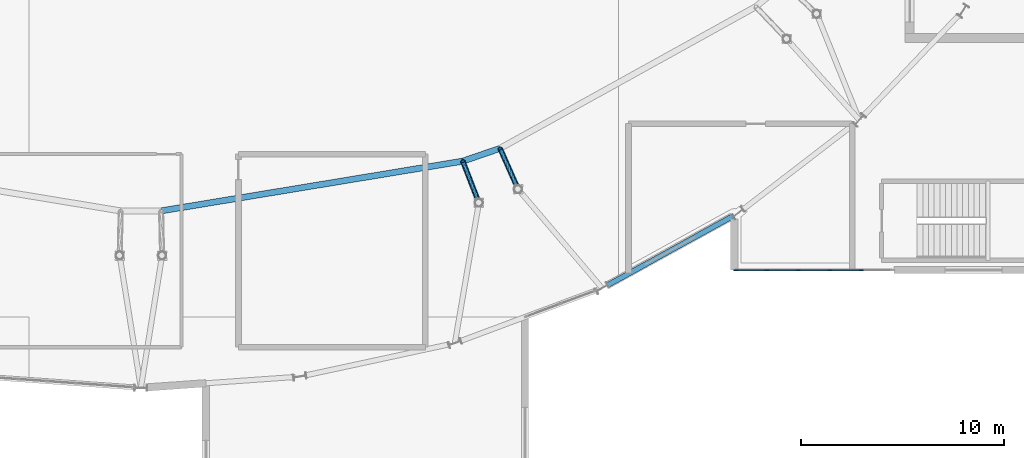
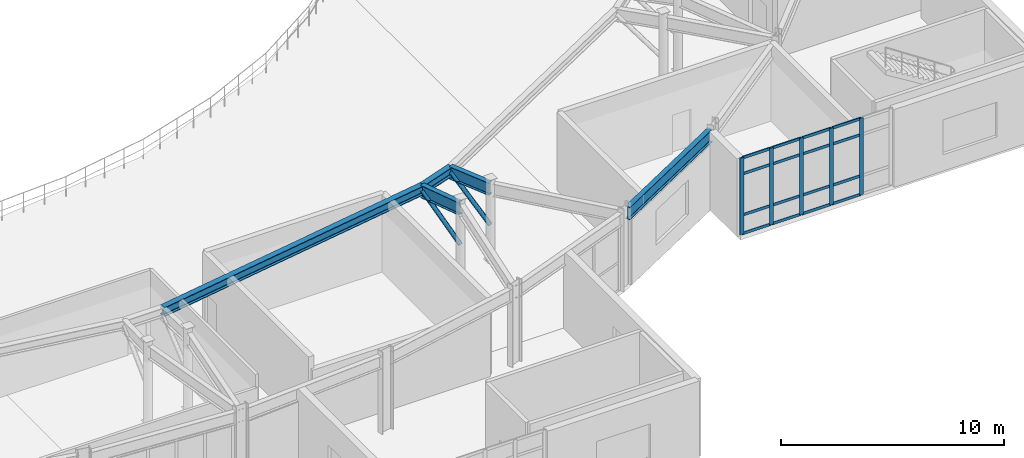
# One storey, part 22 of 48: 23 members, 5 beams, 1 element without a shape of its own.
"""IFC4 building model written with IfcOpenShell, lengths in metres."""

import ifcopenshell
import ifcopenshell.guid

model = None  # the IFC model being written
_history = None  # IfcOwnerHistory: only IFC2X3 demands one
_inside = {}  # id of a spatial element -> (the spatial element, [elements in it])
_under = {}  # id of a project, library or spatial element -> (it, [spatial elements below it])
_declared = {}  # id of a project -> (the project, [libraries it declares])
_typed = {}  # id of a type object -> (the type object, [elements of that type])
_made_of = {}  # id of a material, layer set ... -> (it, [elements and type objects made of it])


def new_model(schema):
    """Start an empty IFC model of exactly this schema.

    Asked for "IFC4X3", IfcOpenShell would pick the latest addendum, in which some entities
    have other attributes; the version numbers below select the first issue.
    IFC2X3 requires an IfcOwnerHistory on every rooted entity: one is made here for all.
    """
    global model, _history
    if schema == "IFC4X3":
        model = ifcopenshell.file(schema_version=(4, 3, 0, 0))
    else:
        model = ifcopenshell.file(schema=schema)
    _inside.clear()
    _under.clear()
    _declared.clear()
    _typed.clear()
    _made_of.clear()
    _history = None
    if model.schema == "IFC2X3":
        org = make("IfcOrganization", Name="unknown")
        user = make(
            "IfcPersonAndOrganization",
            ThePerson=make("IfcPerson", FamilyName="unknown"),
            TheOrganization=org,
        )
        app = make(
            "IfcApplication",
            ApplicationDeveloper=org,
            Version="unknown",
            ApplicationFullName="unknown",
            ApplicationIdentifier="unknown",
        )
        _history = make(
            "IfcOwnerHistory",
            OwningUser=user,
            OwningApplication=app,
            ChangeAction="ADDED",
            CreationDate=0,
        )
    return model


def make(cls, **values):
    """One entity of the class cls with the attributes given. An attribute that is None is left unset."""
    return model.create_entity(
        cls, **{name: value for name, value in values.items() if value is not None}
    )


def rooted(cls, **values):
    """An entity with a GlobalId (a new one), such as an element, a storey or a relation."""
    return make(cls, GlobalId=ifcopenshell.guid.new(), OwnerHistory=_history, **values)


def si_unit(unit_type, name, prefix=None):
    """IfcSIUnit, for example si_unit("LENGTHUNIT", "METRE", prefix="MILLI")."""
    return make("IfcSIUnit", UnitType=unit_type, Prefix=prefix, Name=name)


def assignment(units):
    """IfcUnitAssignment: the units of a project."""
    return None if units is None else make("IfcUnitAssignment", Units=units)


def point(xyz):
    """IfcCartesianPoint."""
    return None if xyz is None else make("IfcCartesianPoint", Coordinates=xyz)


def direction(xyz):
    """IfcDirection."""
    return None if xyz is None else make("IfcDirection", DirectionRatios=xyz)


def frame(location, z_axis=None, x_axis=None):
    """IfcAxis2Placement3D, a coordinate frame: its origin and axes. An axis left out is left unset."""
    return make(
        "IfcAxis2Placement3D",
        Location=point(location),
        Axis=direction(z_axis),
        RefDirection=direction(x_axis),
    )


def frame_2d(location, x_axis=None):
    """IfcAxis2Placement2D, a coordinate frame in the plane: its origin and x axis."""
    return make(
        "IfcAxis2Placement2D", Location=point(location), RefDirection=direction(x_axis)
    )


def origin():
    """The frame at (0, 0, 0) with its axes left unset."""
    return frame((0.0, 0.0, 0.0))


def origin_2d():
    """The frame at (0, 0) in the plane with its x axis left unset."""
    return frame_2d((0.0, 0.0))


def place(relative_to, where):
    """IfcLocalPlacement: puts the frame where relative to a parent placement (None: the world)."""
    return make(
        "IfcLocalPlacement", PlacementRelTo=relative_to, RelativePlacement=where
    )


def context(
    kind, dimensions, precision=None, world=None, true_north=None, identifier=None
):
    """IfcGeometricRepresentationContext, for example the 3D "Model" context."""
    return make(
        "IfcGeometricRepresentationContext",
        ContextIdentifier=identifier,
        ContextType=kind,
        CoordinateSpaceDimension=dimensions,
        Precision=precision,
        WorldCoordinateSystem=world,
        TrueNorth=true_north,
    )


def subcontext(parent, identifier, kind, view, scale=None):
    """IfcGeometricRepresentationSubContext, for example "Body" below "Model"."""
    return make(
        "IfcGeometricRepresentationSubContext",
        ContextIdentifier=identifier,
        ContextType=kind,
        ParentContext=parent,
        TargetScale=scale,
        TargetView=view,
    )


def project(units=None, contexts=None):
    """IfcProject with its units and contexts."""
    return rooted(
        "IfcProject",
        Name="project",
        RepresentationContexts=contexts,
        UnitsInContext=assignment(units),
    )


def spatial(cls, under=None, at=None, **own):
    """A site, building, storey or space (cls), placed at a placement, below another one or the project."""
    s = rooted(cls, ObjectPlacement=at, **own)
    if under is not None:
        _under.setdefault(under.id(), (under, []))[1].append(s)
    return s


def profile(cls, at=None, kind="AREA", **sizes):
    """A parametric profile (cls). Its sizes go by their IFC names, for example OverallWidth=200.0."""
    return make(cls, ProfileType=kind, Position=at, **sizes)


def rectangle(**sizes):
    """IfcRectangleProfileDef."""
    return profile("IfcRectangleProfileDef", **sizes)


def hollow_circle(**sizes):
    """IfcCircleHollowProfileDef."""
    return profile("IfcCircleHollowProfileDef", **sizes)


def i_section(**sizes):
    """IfcIShapeProfileDef."""
    return profile("IfcIShapeProfileDef", **sizes)


def extrude(swept, where, along, depth):
    """IfcExtrudedAreaSolid: the profile swept, set in the frame where, extruded along a direction by depth."""
    return make(
        "IfcExtrudedAreaSolid",
        SweptArea=swept,
        Position=where,
        ExtrudedDirection=direction(along),
        Depth=depth,
    )


def shape(context_of_items, identifier, shape_type, items):
    """IfcShapeRepresentation: the items that make up one representation, for example the "Body"."""
    return make(
        "IfcShapeRepresentation",
        ContextOfItems=context_of_items,
        RepresentationIdentifier=identifier,
        RepresentationType=shape_type,
        Items=items,
    )


def material(Name=None, Category=None):
    """IfcMaterial."""
    return make("IfcMaterial", Name=Name, Category=Category)


def material_profile(
    of_material, cross_section, Name=None, Category=None, Priority=None
):
    """IfcMaterialProfile: a cross section and its material."""
    return make(
        "IfcMaterialProfile",
        Name=Name,
        Material=of_material,
        Profile=cross_section,
        Priority=Priority,
        Category=Category,
    )


def profile_set(profiles, Name=None, composite=None):
    """IfcMaterialProfileSet."""
    return make(
        "IfcMaterialProfileSet",
        Name=Name,
        MaterialProfiles=profiles,
        CompositeProfile=composite,
    )


def made_of(thing, what):
    """Note that an element or type object is made of a material, layer set ...; save() writes the relation."""
    if what is not None:
        _made_of.setdefault(what.id(), (what, []))[1].append(thing)
    return thing


def type_object(cls, material=None, **own):
    """A type object (cls), such as IfcWallType, which elements share."""
    return made_of(rooted(cls, **own), material)


def element(
    cls,
    number,
    at=None,
    inside=None,
    cuts=None,
    type_object=None,
    material=None,
    context=None,
    identifier="Body",
    shape_type=None,
    held_by="IfcProductDefinitionShape",
    body=None,
    shapes=None,
    **own,
):
    """One element of the class cls, such as IfcWall. Its Tag is "e" and its number.

    at: its placement. inside: the storey or other place that contains it. cuts: it is an
    opening in that element (IfcRelVoidsElement). A single representation is given by context,
    identifier, shape_type and body (its items); several are given by shapes. held_by: the class
    of the entity that holds the representations. save() writes the other relations.
    """
    e = rooted(cls, Tag="e%d" % number, ObjectPlacement=at, **own)
    if body is not None:
        shapes = [shape(context, identifier, shape_type, body)]
    if shapes is not None:
        e.Representation = make(held_by, Representations=shapes)
    if inside is not None:
        _inside.setdefault(inside.id(), (inside, []))[1].append(e)
    if cuts is not None:
        rooted(
            "IfcRelVoidsElement", RelatingBuildingElement=cuts, RelatedOpeningElement=e
        )
    if type_object is not None:
        _typed.setdefault(type_object.id(), (type_object, []))[1].append(e)
    return made_of(e, material)


def aggregate(whole, parts):
    """IfcRelAggregates: a whole, such as a stair, and the parts it consists of."""
    return rooted("IfcRelAggregates", RelatingObject=whole, RelatedObjects=parts)


def save(model, path):
    """Write the relations noted so far, then the file.

    IfcRelAggregates (storeys below a building ...), IfcRelContainedInSpatialStructure (elements
    in a storey), IfcRelDefinesByType, IfcRelAssociatesMaterial and IfcRelDeclares: one each for
    every whole, place, type object, material and project.
    """
    for whole, parts in _under.values():
        aggregate(whole, parts)
    for where, things in _inside.values():
        rooted(
            "IfcRelContainedInSpatialStructure",
            RelatedElements=things,
            RelatingStructure=where,
        )
    for kind, things in _typed.values():
        rooted("IfcRelDefinesByType", RelatedObjects=things, RelatingType=kind)
    for what, things in _made_of.values():
        rooted("IfcRelAssociatesMaterial", RelatedObjects=things, RelatingMaterial=what)
    for by, libraries in _declared.values():
        rooted("IfcRelDeclares", RelatingContext=by, RelatedDefinitions=libraries)
    model.write(path)


model = new_model("IFC4")

# Units and contexts
model_context = context("Model", 3, precision=1e-05, world=origin(), true_north=direction((0.0, 1.0)))
body_context = subcontext(model_context, "Body", "Model", "MODEL_VIEW")
ifc_project = project(units=[si_unit("LENGTHUNIT", "METRE"), si_unit("AREAUNIT", "SQUARE_METRE"), si_unit("VOLUMEUNIT", "CUBIC_METRE"), si_unit("PLANEANGLEUNIT", "RADIAN"), si_unit("MASSUNIT", "GRAM", prefix="KILO")], contexts=[model_context])

# Site, building, storey
site_placement = place(None, origin())
site = spatial("IfcSite", under=ifc_project, at=site_placement, CompositionType="ELEMENT")
building_placement = place(site_placement, origin())
building = spatial("IfcBuilding", under=site, at=building_placement, Name="Glasvene Arena", CompositionType="ELEMENT")
storey_placement = place(building_placement, frame((0.0, 0.0, 19.5)))
storey = spatial("IfcBuildingStorey", under=building, at=storey_placement, Name="L04", CompositionType="ELEMENT", Elevation=19.5)

# Beams
ifc_material_1 = material(Name="Steel S355J2", Category="steel")
ifc_material_profile_1 = material_profile(ifc_material_1, i_section(OverallWidth=0.300048828125, OverallDepth=0.5, WebThickness=0.014404296875, FlangeThickness=0.028076171875, FilletRadius=0.027099609375, at=origin_2d()), Name="HEB 500")
ifc_profile_set_1 = profile_set([ifc_material_profile_1], Name="Steel S355J2")
beam_type_1 = type_object("IfcBeamType", Name="BM-EAVE-CANT", PredefinedType="BEAM", material=ifc_profile_set_1)
beam_1_placement = place(storey_placement, frame((92.99365234375, 36.709228515625, 4.0), z_axis=(0.98668314194, 0.16265416506, 0.0), x_axis=(-0.16265416506, 0.98668314194, 0.0)))
element("IfcBeam", 1, at=beam_1_placement, inside=storey, type_object=beam_type_1, Name="Gondola inner ring girder 25", PredefinedType="BEAM", context=body_context, shape_type="SweptSolid", body=[
    extrude(i_section(OverallWidth=0.300048828125, OverallDepth=0.5, WebThickness=0.014404296875, FlangeThickness=0.028076171875, FilletRadius=0.027099609375, at=origin_2d()), origin(), (0.0, 0.0, 1.0), 15.0458984375),
])
beam_2_placement = place(storey_placement, frame((107.839111328125, 39.156494140625, 4.0), z_axis=(0.945777169561, 0.324816171915, 0.0), x_axis=(-0.324816171915, 0.945777169561, 0.0)))
element("IfcBeam", 2, at=beam_2_placement, inside=storey, type_object=beam_type_1, Name="Gondola inner ring girder 26", PredefinedType="BEAM", context=body_context, shape_type="SweptSolid", body=[
    extrude(i_section(OverallWidth=0.300048828125, OverallDepth=0.5, WebThickness=0.014404296875, FlangeThickness=0.028076171875, FilletRadius=0.027099609375, at=origin_2d()), origin(), (0.0, 0.0, 1.0), 1.94140625),
])
ifc_material_profile_2 = material_profile(ifc_material_1, i_section(OverallWidth=0.253662109375, OverallDepth=0.68359375, WebThickness=0.012451171875, FlangeThickness=0.01904296875, FilletRadius=0.01513671875, at=origin_2d()), Name="UKB 686x254x140")
ifc_profile_set_2 = profile_set([ifc_material_profile_2], Name="Steel S355J2")
beam_type_2 = type_object("IfcBeamType", Name="BM-GIRD-686", PredefinedType="BEAM", material=ifc_profile_set_2)
beam_3_placement = place(storey_placement, frame((114.90966796875, 33.0205078125, 3.908203125), z_axis=(0.875653765723, 0.482939419156, 0.0), x_axis=(-0.482939419156, 0.875653765723, 0.0)))
element("IfcBeam", 3, at=beam_3_placement, inside=storey, type_object=beam_type_2, Name="Bowl ring chord beam L04-34", PredefinedType="BEAM", context=body_context, shape_type="SweptSolid", body=[
    extrude(i_section(OverallWidth=0.253662109375, OverallDepth=0.68359375, WebThickness=0.012451171875, FlangeThickness=0.01904296875, FilletRadius=0.01513671875, at=origin_2d()), origin(), (0.0, 0.0, 1.0), 7.159912109375),
])
for number, where, z_axis, x_axis, name in (
    (4, (107.839111328125, 39.156494140625, 3.908203125), (0.361669603408, -0.932306332688, 0.0), (0.932306332688, 0.361669603408, 0.0), "Gondola inner bracket beam 26"),
    (5, (109.67529296875, 39.787109375, 3.908203125), (0.403500861831, -0.91497926452, 0.0), (0.91497926452, 0.403500861831, 0.0), "Gondola inner bracket beam 27"),
):
    element("IfcBeam", number, at=place(storey_placement, frame(where, z_axis=z_axis, x_axis=x_axis)), inside=storey, type_object=beam_type_2, Name=name, PredefinedType="BEAM", context=body_context, shape_type="SweptSolid", body=[
        extrude(i_section(OverallWidth=0.253662109375, OverallDepth=0.68359375, WebThickness=0.012451171875, FlangeThickness=0.01904296875, FilletRadius=0.01513671875, at=origin_2d()), origin(), (0.0, 0.0, 1.0), 2.199951171875),
    ])

# Curtain wall, members
ifc_material_2 = material(Name="Low-emissivity laminated double glazing", Category="glass")
curtain_wall_type = type_object("IfcCurtainWallType", Name="CW-FAC-L03-777x419", PredefinedType="USERDEFINED", material=ifc_material_2)
curtain_wall_placement = place(storey_placement, frame((129.010009765625, 33.800048828125, 0.0)))
curtain_wall = element("IfcCurtainWall", 6, at=curtain_wall_placement, inside=storey, type_object=curtain_wall_type, Name="Unitised curtain wall CW-F-L04-180-1251-338-49", ObjectType="CURTAIN WALL", PredefinedType="USERDEFINED")
ifc_material_3 = material(Name="Anodised architectural aluminium", Category="aluminium")
ifc_material_profile_3 = material_profile(ifc_material_3, rectangle(XDim=0.050048828125, YDim=0.199951171875, at=origin_2d()), Name="ALU MULLION 50x200")
ifc_profile_set_3 = profile_set([ifc_material_profile_3], Name="Anodised architectural aluminium")
member_type_1 = type_object("IfcMemberType", Name="CW-MUL-180", PredefinedType="MULLION", material=ifc_profile_set_3)
member_1_placement = place(storey_placement, frame((127.4560546875, 33.800048828125, 0.06005859375), z_axis=(0.0, 0.0, 1.0), x_axis=(0.0, -1.0, 0.0)))
member_1 = element("IfcMember", 7, at=member_1_placement, type_object=member_type_1, Name="CW-042 mullion 2", PredefinedType="MULLION", context=body_context, shape_type="SweptSolid", body=[
    extrude(rectangle(XDim=0.050048828125, YDim=0.199951171875, at=origin_2d()), origin(), (0.0, 0.0, 1.0), 4.18994140625),
])
member_2_placement = place(storey_placement, frame((125.902099609375, 33.800048828125, 0.06005859375), z_axis=(0.0, 0.0, 1.0), x_axis=(0.0, -1.0, 0.0)))
member_2 = element("IfcMember", 8, at=member_2_placement, type_object=member_type_1, Name="CW-042 mullion 3", PredefinedType="MULLION", context=body_context, shape_type="SweptSolid", body=[
    extrude(rectangle(XDim=0.050048828125, YDim=0.199951171875, at=origin_2d()), origin(), (0.0, 0.0, 1.0), 4.18994140625),
])
member_3_placement = place(storey_placement, frame((124.347900390625, 33.800048828125, 0.06005859375), z_axis=(0.0, 0.0, 1.0), x_axis=(0.0, -1.0, 0.0)))
member_3 = element("IfcMember", 9, at=member_3_placement, type_object=member_type_1, Name="CW-042 mullion 4", PredefinedType="MULLION", context=body_context, shape_type="SweptSolid", body=[
    extrude(rectangle(XDim=0.050048828125, YDim=0.199951171875, at=origin_2d()), origin(), (0.0, 0.0, 1.0), 4.18994140625),
])
member_4_placement = place(storey_placement, frame((122.7939453125, 33.800048828125, 0.06005859375), z_axis=(0.0, 0.0, 1.0), x_axis=(0.0, -1.0, 0.0)))
member_4 = element("IfcMember", 10, at=member_4_placement, type_object=member_type_1, Name="CW-042 mullion 5", PredefinedType="MULLION", context=body_context, shape_type="SweptSolid", body=[
    extrude(rectangle(XDim=0.050048828125, YDim=0.199951171875, at=origin_2d()), origin(), (0.0, 0.0, 1.0), 4.18994140625),
])
member_5_placement = place(storey_placement, frame((121.264892578125, 33.800048828125, 0.06005859375), z_axis=(0.0, 0.0, 1.0), x_axis=(0.0, -1.0, 0.0)))
member_5 = element("IfcMember", 11, at=member_5_placement, type_object=member_type_1, Name="CW-042 mullion 6", PredefinedType="MULLION", context=body_context, shape_type="SweptSolid", body=[
    extrude(rectangle(XDim=0.050048828125, YDim=0.199951171875, at=origin_2d()), origin(), (0.0, 0.0, 1.0), 4.18994140625),
])
ifc_material_profile_4 = material_profile(ifc_material_3, rectangle(XDim=0.050048828125, YDim=0.14990234375, at=origin_2d()), Name="ALU TRANSOM 50x150")
ifc_profile_set_4 = profile_set([ifc_material_profile_4], Name="Anodised architectural aluminium")
member_type_2 = type_object("IfcMemberType", Name="CW-TRN-150", PredefinedType="USERDEFINED", material=ifc_profile_set_4)
member_6_placement = place(storey_placement, frame((127.430908203125, 33.800048828125, 0.0849609375), z_axis=(-1.0, 0.0, 0.0), x_axis=(0.0, -1.0, 0.0)))
member_6 = element("IfcMember", 12, at=member_6_placement, type_object=member_type_2, Name="CW-042 transom 2.1", ObjectType="TRANSOM", PredefinedType="USERDEFINED", context=body_context, shape_type="SweptSolid", body=[
    extrude(rectangle(XDim=0.050048828125, YDim=0.14990234375, at=origin_2d()), origin(), (0.0, 0.0, 1.0), 1.50390625),
])
member_7_placement = place(storey_placement, frame((127.430908203125, 33.800048828125, 1.10009765625), z_axis=(-1.0, 0.0, 0.0), x_axis=(0.0, -1.0, 0.0)))
member_7 = element("IfcMember", 13, at=member_7_placement, type_object=member_type_2, Name="CW-042 transom 2.2", ObjectType="TRANSOM", PredefinedType="USERDEFINED", context=body_context, shape_type="SweptSolid", body=[
    extrude(rectangle(XDim=0.050048828125, YDim=0.14990234375, at=origin_2d()), origin(), (0.0, 0.0, 1.0), 1.50390625),
])
member_8_placement = place(storey_placement, frame((127.430908203125, 33.800048828125, 3.35009765625), z_axis=(-1.0, 0.0, 0.0), x_axis=(0.0, -1.0, 0.0)))
member_8 = element("IfcMember", 14, at=member_8_placement, type_object=member_type_2, Name="CW-042 transom 2.3", ObjectType="TRANSOM", PredefinedType="USERDEFINED", context=body_context, shape_type="SweptSolid", body=[
    extrude(rectangle(XDim=0.050048828125, YDim=0.14990234375, at=origin_2d()), origin(), (0.0, 0.0, 1.0), 1.50390625),
])
member_9_placement = place(storey_placement, frame((127.430908203125, 33.800048828125, 4.22509765625), z_axis=(-1.0, 0.0, 0.0), x_axis=(0.0, -1.0, 0.0)))
member_9 = element("IfcMember", 15, at=member_9_placement, type_object=member_type_2, Name="CW-042 transom 2.4", ObjectType="TRANSOM", PredefinedType="USERDEFINED", context=body_context, shape_type="SweptSolid", body=[
    extrude(rectangle(XDim=0.050048828125, YDim=0.14990234375, at=origin_2d()), origin(), (0.0, 0.0, 1.0), 1.50390625),
])
member_10_placement = place(storey_placement, frame((125.876953125, 33.800048828125, 0.0849609375), z_axis=(-1.0, 0.0, 0.0), x_axis=(0.0, -1.0, 0.0)))
member_10 = element("IfcMember", 16, at=member_10_placement, type_object=member_type_2, Name="CW-042 transom 3.1", ObjectType="TRANSOM", PredefinedType="USERDEFINED", context=body_context, shape_type="SweptSolid", body=[
    extrude(rectangle(XDim=0.050048828125, YDim=0.14990234375, at=origin_2d()), origin(), (0.0, 0.0, 1.0), 1.50390625),
])
member_11_placement = place(storey_placement, frame((125.876953125, 33.800048828125, 1.10009765625), z_axis=(-1.0, 0.0, 0.0), x_axis=(0.0, -1.0, 0.0)))
member_11 = element("IfcMember", 17, at=member_11_placement, type_object=member_type_2, Name="CW-042 transom 3.2", ObjectType="TRANSOM", PredefinedType="USERDEFINED", context=body_context, shape_type="SweptSolid", body=[
    extrude(rectangle(XDim=0.050048828125, YDim=0.14990234375, at=origin_2d()), origin(), (0.0, 0.0, 1.0), 1.50390625),
])
member_12_placement = place(storey_placement, frame((125.876953125, 33.800048828125, 3.35009765625), z_axis=(-1.0, 0.0, 0.0), x_axis=(0.0, -1.0, 0.0)))
member_12 = element("IfcMember", 18, at=member_12_placement, type_object=member_type_2, Name="CW-042 transom 3.3", ObjectType="TRANSOM", PredefinedType="USERDEFINED", context=body_context, shape_type="SweptSolid", body=[
    extrude(rectangle(XDim=0.050048828125, YDim=0.14990234375, at=origin_2d()), origin(), (0.0, 0.0, 1.0), 1.50390625),
])
member_13_placement = place(storey_placement, frame((125.876953125, 33.800048828125, 4.22509765625), z_axis=(-1.0, 0.0, 0.0), x_axis=(0.0, -1.0, 0.0)))
member_13 = element("IfcMember", 19, at=member_13_placement, type_object=member_type_2, Name="CW-042 transom 3.4", ObjectType="TRANSOM", PredefinedType="USERDEFINED", context=body_context, shape_type="SweptSolid", body=[
    extrude(rectangle(XDim=0.050048828125, YDim=0.14990234375, at=origin_2d()), origin(), (0.0, 0.0, 1.0), 1.50390625),
])
member_14_placement = place(storey_placement, frame((124.322998046875, 33.800048828125, 0.0849609375), z_axis=(-1.0, 0.0, 0.0), x_axis=(0.0, -1.0, 0.0)))
member_14 = element("IfcMember", 20, at=member_14_placement, type_object=member_type_2, Name="CW-042 transom 4.1", ObjectType="TRANSOM", PredefinedType="USERDEFINED", context=body_context, shape_type="SweptSolid", body=[
    extrude(rectangle(XDim=0.050048828125, YDim=0.14990234375, at=origin_2d()), origin(), (0.0, 0.0, 1.0), 1.50390625),
])
member_15_placement = place(storey_placement, frame((124.322998046875, 33.800048828125, 1.10009765625), z_axis=(-1.0, 0.0, 0.0), x_axis=(0.0, -1.0, 0.0)))
member_15 = element("IfcMember", 21, at=member_15_placement, type_object=member_type_2, Name="CW-042 transom 4.2", ObjectType="TRANSOM", PredefinedType="USERDEFINED", context=body_context, shape_type="SweptSolid", body=[
    extrude(rectangle(XDim=0.050048828125, YDim=0.14990234375, at=origin_2d()), origin(), (0.0, 0.0, 1.0), 1.50390625),
])
member_16_placement = place(storey_placement, frame((124.322998046875, 33.800048828125, 3.35009765625), z_axis=(-1.0, 0.0, 0.0), x_axis=(0.0, -1.0, 0.0)))
member_16 = element("IfcMember", 22, at=member_16_placement, type_object=member_type_2, Name="CW-042 transom 4.3", ObjectType="TRANSOM", PredefinedType="USERDEFINED", context=body_context, shape_type="SweptSolid", body=[
    extrude(rectangle(XDim=0.050048828125, YDim=0.14990234375, at=origin_2d()), origin(), (0.0, 0.0, 1.0), 1.50390625),
])
member_17_placement = place(storey_placement, frame((124.322998046875, 33.800048828125, 4.22509765625), z_axis=(-1.0, 0.0, 0.0), x_axis=(0.0, -1.0, 0.0)))
member_17 = element("IfcMember", 23, at=member_17_placement, type_object=member_type_2, Name="CW-042 transom 4.4", ObjectType="TRANSOM", PredefinedType="USERDEFINED", context=body_context, shape_type="SweptSolid", body=[
    extrude(rectangle(XDim=0.050048828125, YDim=0.14990234375, at=origin_2d()), origin(), (0.0, 0.0, 1.0), 1.50390625),
])
member_18_placement = place(storey_placement, frame((122.76904296875, 33.800048828125, 0.0849609375), z_axis=(-1.0, 0.0, 0.0), x_axis=(0.0, -1.0, 0.0)))
member_18 = element("IfcMember", 24, at=member_18_placement, type_object=member_type_2, Name="CW-042 transom 5.1", ObjectType="TRANSOM", PredefinedType="USERDEFINED", context=body_context, shape_type="SweptSolid", body=[
    extrude(rectangle(XDim=0.050048828125, YDim=0.14990234375, at=origin_2d()), origin(), (0.0, 0.0, 1.0), 1.47900390625),
])
member_19_placement = place(storey_placement, frame((122.76904296875, 33.800048828125, 1.10009765625), z_axis=(-1.0, 0.0, 0.0), x_axis=(0.0, -1.0, 0.0)))
member_19 = element("IfcMember", 25, at=member_19_placement, type_object=member_type_2, Name="CW-042 transom 5.2", ObjectType="TRANSOM", PredefinedType="USERDEFINED", context=body_context, shape_type="SweptSolid", body=[
    extrude(rectangle(XDim=0.050048828125, YDim=0.14990234375, at=origin_2d()), origin(), (0.0, 0.0, 1.0), 1.47900390625),
])
member_20_placement = place(storey_placement, frame((122.76904296875, 33.800048828125, 3.35009765625), z_axis=(-1.0, 0.0, 0.0), x_axis=(0.0, -1.0, 0.0)))
member_20 = element("IfcMember", 26, at=member_20_placement, type_object=member_type_2, Name="CW-042 transom 5.3", ObjectType="TRANSOM", PredefinedType="USERDEFINED", context=body_context, shape_type="SweptSolid", body=[
    extrude(rectangle(XDim=0.050048828125, YDim=0.14990234375, at=origin_2d()), origin(), (0.0, 0.0, 1.0), 1.47900390625),
])
member_21_placement = place(storey_placement, frame((122.76904296875, 33.800048828125, 4.22509765625), z_axis=(-1.0, 0.0, 0.0), x_axis=(0.0, -1.0, 0.0)))
member_21 = element("IfcMember", 27, at=member_21_placement, type_object=member_type_2, Name="CW-042 transom 5.4", ObjectType="TRANSOM", PredefinedType="USERDEFINED", context=body_context, shape_type="SweptSolid", body=[
    extrude(rectangle(XDim=0.050048828125, YDim=0.14990234375, at=origin_2d()), origin(), (0.0, 0.0, 1.0), 1.47900390625),
])
aggregate(curtain_wall, [member_1, member_2, member_3, member_4, member_5, member_6, member_7, member_8, member_9, member_10, member_11, member_12, member_13, member_14, member_15, member_16, member_17, member_18, member_19, member_20, member_21])

# Members
ifc_material_profile_5 = material_profile(ifc_material_1, hollow_circle(Radius=0.109619140625, WallThickness=0.010009765625, at=origin_2d()), Name="CHS 219.1x10.0")
ifc_profile_set_5 = profile_set([ifc_material_profile_5], Name="Steel S355J2")
member_type_3 = type_object("IfcMemberType", Name="MB-WEB-CHS219", PredefinedType="BRACE", material=ifc_profile_set_5)
for number, where, z_axis, x_axis, name in (
    (28, (108.634765625, 37.10546875, 1.89990234375), (-0.267610967033, 0.689843428671, 0.672681510258), (-0.932306332688, -0.361669603408, 0.0), "Gondola inclined knee strut 26"),
    (29, (110.56298828125, 37.774169921875, 1.89990234375), (-0.298565455376, 0.677027552138, 0.672675525423), (-0.91497926452, -0.403500861831, 0.0), "Gondola inclined knee strut 27"),
):
    element("IfcMember", number, at=place(storey_placement, frame(where, z_axis=z_axis, x_axis=x_axis)), inside=storey, type_object=member_type_3, Name=name, PredefinedType="BRACE", context=body_context, shape_type="SweptSolid", body=[
        extrude(hollow_circle(Radius=0.109619140625, WallThickness=0.010009765625, at=origin_2d()), origin(), (0.0, 0.0, 1.0), 2.97314453125),
    ])

save(model, "model.ifc")
